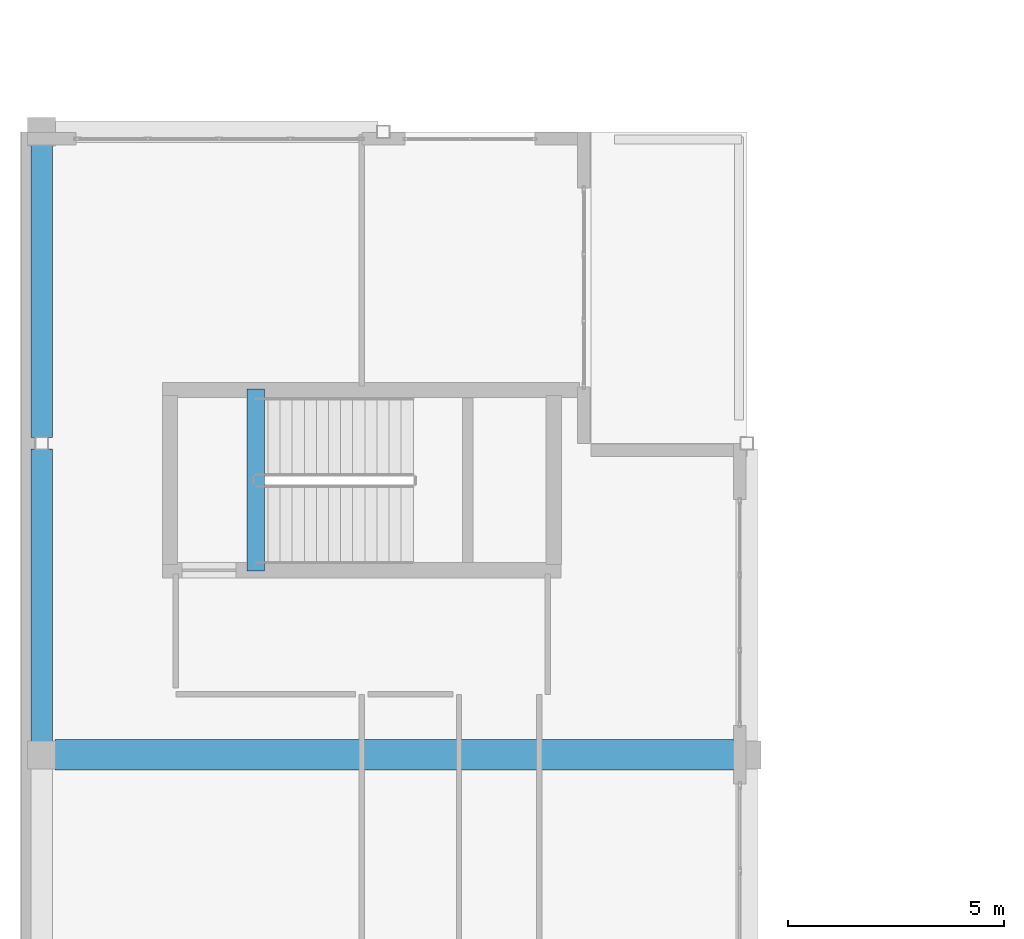
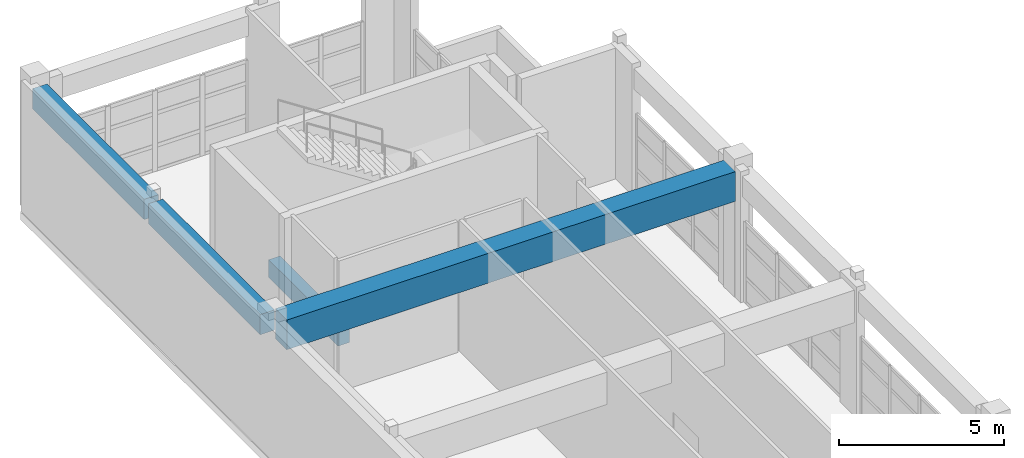
# One storey, part 23 of 78: 4 beams.
"""IFC4 building model written with IfcOpenShell, lengths in metres."""

from ifc_helpers import new_model, si_unit, direction, frame, origin, origin_2d, place, context, subcontext, project, spatial, rectangle, extrude, material, material_profile, profile_set, type_object, element, save


model = new_model("IFC4")

# Units and contexts
model_context = context("Model", 3, precision=1e-05, world=origin(), true_north=direction((0.0, 1.0)))
body_context = subcontext(model_context, "Body", "Model", "MODEL_VIEW")
ifc_project = project(units=[si_unit("LENGTHUNIT", "METRE"), si_unit("AREAUNIT", "SQUARE_METRE"), si_unit("VOLUMEUNIT", "CUBIC_METRE"), si_unit("PLANEANGLEUNIT", "RADIAN"), si_unit("MASSUNIT", "GRAM", prefix="KILO")], contexts=[model_context])

# Site, building, storey
site_placement = place(None, origin())
site = spatial("IfcSite", under=ifc_project, at=site_placement, CompositionType="ELEMENT")
building_placement = place(site_placement, origin())
building = spatial("IfcBuilding", under=site, at=building_placement, Name="Quendrovan Civic Courthouse", CompositionType="ELEMENT")
storey_placement = place(building_placement, frame((0.0, 0.0, 20.39990234375)))
storey = spatial("IfcBuildingStorey", under=building, at=storey_placement, Name="L05", CompositionType="ELEMENT", Elevation=20.39990234375)

# Beams
ifc_material_1 = material(Name="Post-tensioned concrete C50/60", Category="concrete")
ifc_material_profile_1 = material_profile(ifc_material_1, rectangle(XDim=0.699951171875, YDim=1.10009765625, at=origin_2d()), Name="PT-GIRD-700x1100")
ifc_profile_set_1 = profile_set([ifc_material_profile_1], Name="Post-tensioned concrete C50/60")
beam_type_1 = type_object("IfcBeamType", Name="BM-PT1100", PredefinedType="BEAM", material=ifc_profile_set_1)
beam_1_placement = place(storey_placement, frame((0.804931640625, 80.39990234375, 4.110107421875), z_axis=(1.0, 0.0, 0.0), x_axis=(0.0, 1.0, 0.0)))
element("IfcBeam", 1, at=beam_1_placement, inside=storey, type_object=beam_type_1, Name="L05 Girder X1032", PredefinedType="BEAM", context=body_context, shape_type="SweptSolid", body=[
    extrude(rectangle(XDim=0.699951171875, YDim=1.10009765625, at=origin_2d()), origin(), (0.0, 0.0, 1.0), 15.690185546875),
])
ifc_material_2 = material(Name="Concrete C40/50", Category="concrete")
ifc_material_profile_2 = material_profile(ifc_material_2, rectangle(XDim=0.39990234375, YDim=0.64990234375, at=origin_2d()), Name="RC-BM-400x650")
ifc_profile_set_2 = profile_set([ifc_material_profile_2], Name="Concrete C40/50")
beam_type_2 = type_object("IfcBeamType", Name="BM-RC650", PredefinedType="JOIST", material=ifc_profile_set_2)
beam_2_placement = place(storey_placement, frame((5.449951171875, 84.64990234375, -0.324951171875), z_axis=(0.0, 1.0, 0.0), x_axis=(-1.0, 0.0, 0.0)))
element("IfcBeam", 2, at=beam_2_placement, inside=storey, type_object=beam_type_2, Name="L05 Stair ST8 Landing Trimmer Beam", PredefinedType="JOIST", context=body_context, shape_type="SweptSolid", body=[
    extrude(rectangle(XDim=0.39990234375, YDim=0.64990234375, at=origin_2d()), origin(), (0.0, 0.0, 1.0), 4.2001953125),
])
ifc_material_profile_3 = material_profile(ifc_material_2, rectangle(XDim=0.5, YDim=0.75, at=origin_2d()), Name="RC-BM-500x750")
ifc_profile_set_3 = profile_set([ifc_material_profile_3], Name="Concrete C40/50")
beam_type_3 = type_object("IfcBeamType", Name="BM-RC750", PredefinedType="SPANDREL", material=ifc_profile_set_3)
beam_3_placement = place(storey_placement, frame((0.5, 80.705078125, 4.28515625), z_axis=(0.0, 1.0, 0.0), x_axis=(-1.0, 0.0, 0.0)))
element("IfcBeam", 3, at=beam_3_placement, inside=storey, type_object=beam_type_3, Name="L05 Girder Y1059", PredefinedType="SPANDREL", context=body_context, shape_type="SweptSolid", body=[
    extrude(rectangle(XDim=0.5, YDim=0.75, at=origin_2d()), origin(), (0.0, 0.0, 1.0), 6.764892578125),
])
beam_4_placement = place(storey_placement, frame((0.5, 87.72998046875, 4.28515625), z_axis=(0.0, 1.0, 0.0), x_axis=(-1.0, 0.0, 0.0)))
element("IfcBeam", 4, at=beam_4_placement, inside=storey, type_object=beam_type_3, Name="L05 Girder Y1060", PredefinedType="SPANDREL", context=body_context, shape_type="SweptSolid", body=[
    extrude(rectangle(XDim=0.5, YDim=0.75, at=origin_2d()), origin(), (0.0, 0.0, 1.0), 6.76513671875),
])

save(model, "model.ifc")
